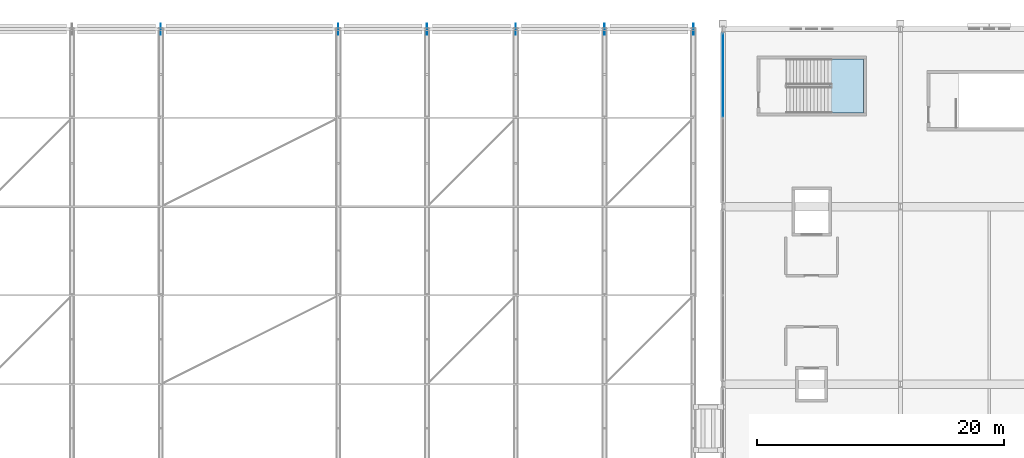
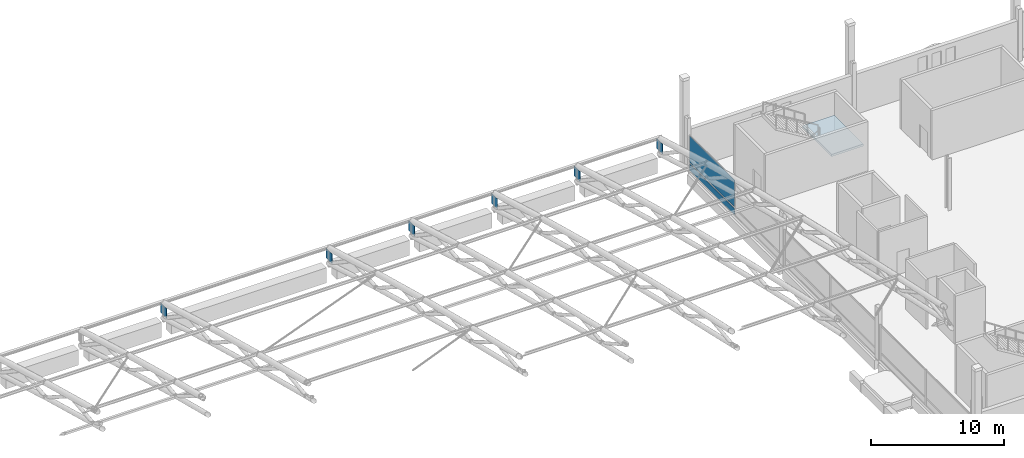
# One storey, part 120 of 193: 8 plates, 1 slab, 2 elements without a shape of their own.
"""IFC4 building model written with IfcOpenShell, lengths in metres."""

from ifc_helpers import new_model, si_unit, direction, frame, origin, origin_2d, place, context, subcontext, project, spatial, polyline, rectangle, outline, extrude, material, layer, layer_set, type_object, element, aggregate, save


model = new_model("IFC4")

# Units and contexts
model_context = context("Model", 3, precision=1e-05, world=origin(), true_north=direction((0.0, 1.0)))
body_context = subcontext(model_context, "Body", "Model", "MODEL_VIEW")
ifc_project = project(units=[si_unit("LENGTHUNIT", "METRE"), si_unit("AREAUNIT", "SQUARE_METRE"), si_unit("VOLUMEUNIT", "CUBIC_METRE"), si_unit("PLANEANGLEUNIT", "RADIAN"), si_unit("MASSUNIT", "GRAM", prefix="KILO")], contexts=[model_context])

# Site, building, storey
site_placement = place(None, origin())
site = spatial("IfcSite", under=ifc_project, at=site_placement, CompositionType="ELEMENT")
building_placement = place(site_placement, origin())
building = spatial("IfcBuilding", under=site, at=building_placement, Name="Cendralis Lancet Convention Centre", CompositionType="ELEMENT")
storey_placement = place(building_placement, frame((0.0, 0.0, 10.199951171875)))
storey = spatial("IfcBuildingStorey", under=building, at=storey_placement, Name="L02", CompositionType="ELEMENT", Elevation=10.199951171875)

# Curtain wall, plates
ifc_material_1 = material(Name="Anodised bronze architectural aluminium", Category="aluminium")
curtain_wall_type = type_object("IfcCurtainWallType", Name="ARC-CW-BL01", PredefinedType="USERDEFINED", material=ifc_material_1)
curtain_wall_placement = place(storey_placement, origin())
curtain_wall = element("IfcCurtainWall", 1, at=curtain_wall_placement, inside=storey, type_object=curtain_wall_type, Name="L02 Curtain Wall CW-BL1 #159", ObjectType="CURTAIN WALL", PredefinedType="USERDEFINED")
ifc_material_2 = material(Name="Double-glazed low-E solar-control glass", Category="glass")
ifc_layer_1 = layer(ifc_material_2, 0.035888671875, Name="Double-glazed low-E solar-control glass")
ifc_layer_set_1 = layer_set([ifc_layer_1], Name="Double-glazed low-E solar-control glass")
plate_type_1 = type_object("IfcPlateType", Name="ARC-PL-GL03", PredefinedType="CURTAIN_PANEL", material=ifc_layer_set_1)
plate_1_placement = place(storey_placement, frame((124.800048828125, 133.050048828125, 0.801513671875), z_axis=(0.0, 0.0, 1.0), x_axis=(0.0, 1.0, 0.0)))
plate_1 = element("IfcPlate", 2, at=plate_1_placement, type_object=plate_type_1, Name="Vision Glass Panel CW2-CW-BL1-L02-159-PG1", PredefinedType="CURTAIN_PANEL", context=body_context, shape_type="SweptSolid", body=[
    extrude(rectangle(XDim=6.739990234375, YDim=0.035888671875, at=origin_2d()), origin(), (0.0, 0.0, 1.0), 2.45361328125),
])
ifc_material_3 = material(Name="Insulated ceramic-fritted spandrel glass", Category="glass")
ifc_layer_2 = layer(ifc_material_3, 0.044921875, Name="Insulated ceramic-fritted spandrel glass")
ifc_layer_set_2 = layer_set([ifc_layer_2], Name="Insulated ceramic-fritted spandrel glass")
plate_type_2 = type_object("IfcPlateType", Name="ARC-PL-SP01", PredefinedType="CURTAIN_PANEL", material=ifc_layer_set_2)
plate_2_placement = place(storey_placement, frame((124.800048828125, 133.050048828125, 0.06982421875), z_axis=(0.0, 0.0, 1.0), x_axis=(0.0, 1.0, 0.0)))
plate_2 = element("IfcPlate", 3, at=plate_2_placement, type_object=plate_type_2, Name="Spandrel Panel CW2-CW-BL1-L02-159-PS1", PredefinedType="CURTAIN_PANEL", context=body_context, shape_type="SweptSolid", body=[
    extrude(rectangle(XDim=6.739990234375, YDim=0.044921875, at=origin_2d()), origin(), (0.0, 0.0, 1.0), 0.591552734375),
])
aggregate(curtain_wall, [plate_2, plate_1])

# Plates
ifc_material_4 = material(Name="Steel S355", Category="steel")
ifc_layer_3 = layer(ifc_material_4, 0.031982421875, Name="Steel S355")
ifc_layer_set_3 = layer_set([ifc_layer_3], Name="Steel S355")
plate_type_3 = type_object("IfcPlateType", Name="STR-PL-GP32", PredefinedType="USERDEFINED", material=ifc_layer_set_3)
plate_3_placement = place(storey_placement, frame((122.39990234375, 136.800048828125, 2.4501953125), z_axis=(0.0, 0.0, 1.0), x_axis=(0.0, 1.0, 0.0)))
element("IfcPlate", 4, at=plate_3_placement, inside=storey, type_object=plate_type_3, Name="Truss Gusset Plate GP-32 AT-V1-15-SPR-N", ObjectType="GUSSET PLATE", PredefinedType="USERDEFINED", context=body_context, shape_type="SweptSolid", body=[
    extrude(rectangle(XDim=0.89990234375, YDim=0.031982421875, at=origin_2d()), origin(), (0.0, 0.0, 1.0), 0.89990234375),
])
ifc_layer_4 = layer(ifc_material_4, 0.031982421875, Name="Steel S355")
ifc_layer_set_4 = layer_set([ifc_layer_4], Name="Steel S355")
plate_type_4 = type_object("IfcPlateType", Name="STR-PL-GP32-INT", PredefinedType="USERDEFINED", material=ifc_layer_set_4)
for number, where, z_axis, x_axis, name in (
    (5, (79.199951171875, 136.800048828125, 2.4501953125), (0.0, 0.0, 1.0), (0.0, 1.0, 0.0), "Truss Gusset Plate GP-32 AT-V1-10-SPR-N"),
    (6, (93.60009765625, 136.800048828125, 2.4501953125), (0.0, 0.0, 1.0), (0.0, 1.0, 0.0), "Truss Gusset Plate GP-32 AT-V1-11-SPR-N"),
    (7, (100.800048828125, 136.800048828125, 2.4501953125), (0.0, 0.0, 1.0), (0.0, 1.0, 0.0), "Truss Gusset Plate GP-32 AT-V1-12-SPR-N"),
    (8, (108.0, 136.800048828125, 2.4501953125), (0.0, 0.0, 1.0), (0.0, 1.0, 0.0), "Truss Gusset Plate GP-32 AT-V1-13-SPR-N"),
    (9, (115.199951171875, 136.800048828125, 2.4501953125), (0.0, 0.0, 1.0), (0.0, 1.0, 0.0), "Truss Gusset Plate GP-32 AT-V1-14-SPR-N"),
):
    element("IfcPlate", number, at=place(storey_placement, frame(where, z_axis=z_axis, x_axis=x_axis)), inside=storey, type_object=plate_type_4, Name=name, ObjectType="GUSSET PLATE", PredefinedType="USERDEFINED", context=body_context, shape_type="SweptSolid", body=[
        extrude(rectangle(XDim=0.89990234375, YDim=0.031982421875, at=origin_2d()), origin(), (0.0, 0.0, 1.0), 0.89990234375),
    ])

# Stair, slab
ifc_material_5 = material(Name="Concrete G35 (C35/45)", Category="concrete")
stair_type = type_object("IfcStairType", Name="ARC-ST-CORE", PredefinedType="HALF_TURN_STAIR", material=ifc_material_5)
stair_placement = place(storey_placement, origin())
stair = element("IfcStair", 10, at=stair_placement, inside=storey, type_object=stair_type, Name="L02 Protected Exit Stair ST-05", PredefinedType="HALF_TURN_STAIR")
ifc_layer_5 = layer(ifc_material_5, 0.199951171875, Name="Concrete G35 (C35/45)")
ifc_layer_set_5 = layer_set([ifc_layer_5], Name="Concrete G35 (C35/45)")
slab_type = type_object("IfcSlabType", Name="STR-SL-LAND", PredefinedType="LANDING", material=ifc_layer_set_5)
slab_placement = place(storey_placement, frame((0.0, 0.0, 2.199951171875)))
slab = element("IfcSlab", 11, at=slab_placement, type_object=slab_type, Name="ST-05 landing 1", PredefinedType="LANDING", context=body_context, shape_type="SweptSolid", body=[
    extrude(outline(polyline([(133.429931640625, 130.0), (136.199951171875, 130.0), (136.199951171875, 134.3798828125), (133.429931640625, 134.3798828125), (133.429931640625, 130.0)])), origin(), (0.0, 0.0, 1.0), 0.2001953125),
])
aggregate(stair, [slab])

save(model, "model.ifc")
